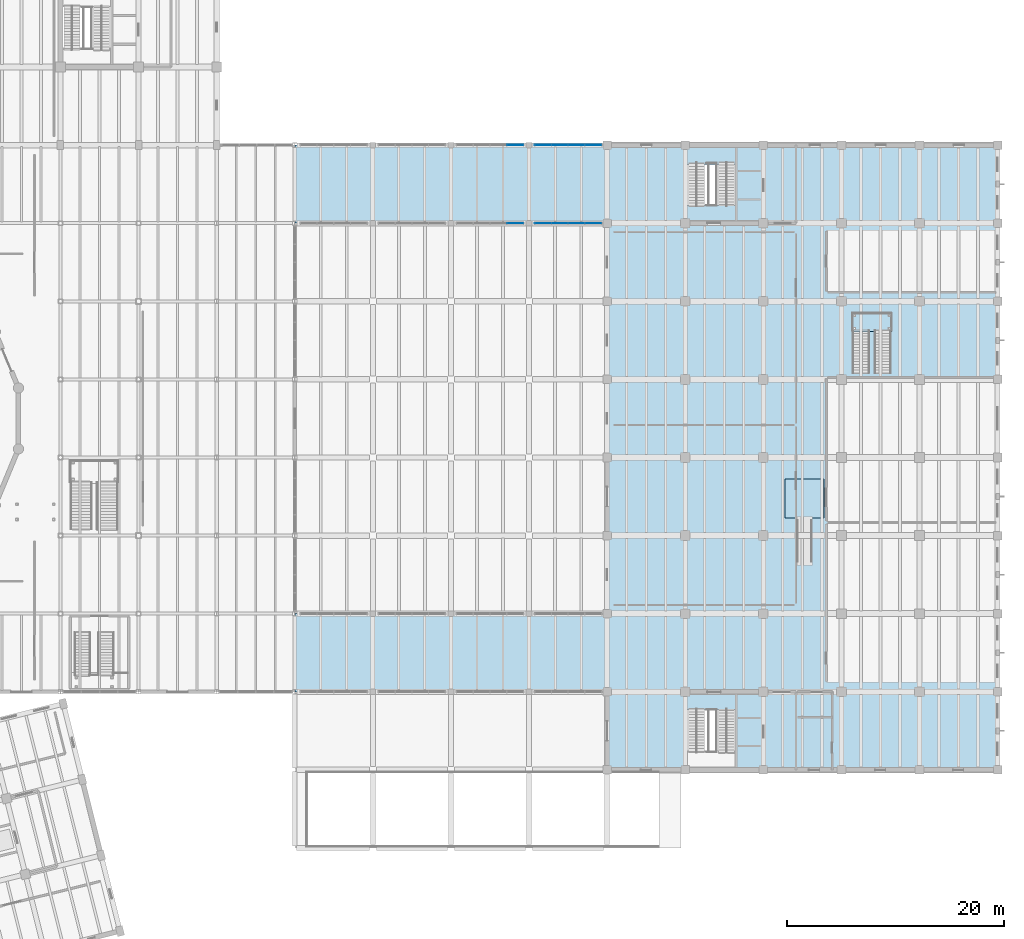
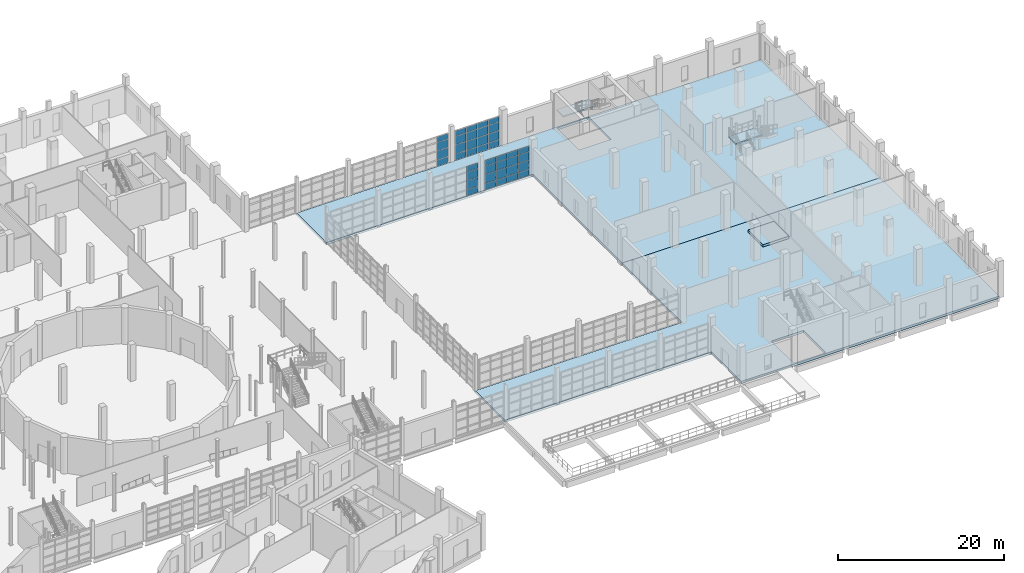
# One storey, part 59 of 79: 40 plates, 5 slabs, 6 elements without a shape of their own.
"""IFC4 building model written with IfcOpenShell, lengths in metres."""

from ifc_helpers import new_model, si_unit, direction, frame, frame_2d, origin, place, context, subcontext, project, spatial, polyline, rectangle, outline, extrude, material, layer, layer_set, type_object, element, aggregate, save


model = new_model("IFC4")

# Units and contexts
model_context = context("Model", 3, precision=1e-05, world=origin(), true_north=direction((0.0, 1.0)))
body_context = subcontext(model_context, "Body", "Model", "MODEL_VIEW")
ifc_project = project(units=[si_unit("LENGTHUNIT", "METRE"), si_unit("AREAUNIT", "SQUARE_METRE"), si_unit("VOLUMEUNIT", "CUBIC_METRE"), si_unit("PLANEANGLEUNIT", "RADIAN"), si_unit("MASSUNIT", "GRAM", prefix="KILO")], contexts=[model_context])

# Site, building, storey
site_placement = place(None, origin())
site = spatial("IfcSite", under=ifc_project, at=site_placement, CompositionType="ELEMENT")
building_placement = place(site_placement, origin())
building = spatial("IfcBuilding", under=site, at=building_placement, Name="Qiaolan Assembly House", CompositionType="ELEMENT")
storey_placement = place(building_placement, origin())
storey = spatial("IfcBuildingStorey", under=building, at=storey_placement, Name="L00", CompositionType="ELEMENT", Elevation=0.0)

# Curtain wall, plates
ifc_material_1 = material(Name="Anodised bronze aluminium", Category="aluminium")
curtain_wall_type = type_object("IfcCurtainWallType", Name="CW-CLOISTER-420", PredefinedType="NOTDEFINED", material=ifc_material_1)
curtain_wall_1_placement = place(storey_placement, origin())
curtain_wall_1 = element("IfcCurtainWall", 1, at=curtain_wall_1_placement, inside=storey, type_object=curtain_wall_type, Name="CW-05 North Cloister court arcade L00-3", PredefinedType="NOTDEFINED")
ifc_material_2 = material(Name="Low-E double insulating glass", Category="glass")
ifc_layer_1 = layer(ifc_material_2, 0.02587890625)
ifc_layer_set_1 = layer_set([ifc_layer_1], Name="Low-E double insulating glass")
plate_type = type_object("IfcPlateType", Name="CW-CLOISTER-420-PNL", PredefinedType="CURTAIN_PANEL", material=ifc_layer_set_1)
plate_1_placement = place(storey_placement, frame((127.56689453125, 79.199951171875, 0.052978515625), z_axis=(0.0, 0.0, 1.0), x_axis=(1.0, 0.0, 0.0)))
plate_1 = element("IfcPlate", 2, at=plate_1_placement, type_object=plate_type, Name="GL-06 glazing panel CW-CLN-CRT-L00-2-13", PredefinedType="CURTAIN_PANEL", context=body_context, shape_type="SweptSolid", body=[
    extrude(rectangle(XDim=1.486083984375, YDim=0.02587890625, at=frame_2d((0.7431640625, 0.0))), origin(), (0.0, 0.0, 1.0), 0.8740234375),
])
plate_2_placement = place(storey_placement, frame((127.56689453125, 79.199951171875, 0.972900390625), z_axis=(0.0, 0.0, 1.0), x_axis=(1.0, 0.0, 0.0)))
plate_2 = element("IfcPlate", 3, at=plate_2_placement, type_object=plate_type, Name="GL-06 glazing panel CW-CLN-CRT-L00-2-14", PredefinedType="CURTAIN_PANEL", context=body_context, shape_type="SweptSolid", body=[
    extrude(rectangle(XDim=1.486083984375, YDim=0.02587890625, at=frame_2d((0.7431640625, 0.0))), origin(), (0.0, 0.0, 1.0), 1.302490234375),
])
plate_3_placement = place(storey_placement, frame((127.56689453125, 79.199951171875, 2.3212890625), z_axis=(0.0, 0.0, 1.0), x_axis=(1.0, 0.0, 0.0)))
plate_3 = element("IfcPlate", 4, at=plate_3_placement, type_object=plate_type, Name="GL-06 glazing panel CW-CLN-CRT-L00-2-15", PredefinedType="CURTAIN_PANEL", context=body_context, shape_type="SweptSolid", body=[
    extrude(rectangle(XDim=1.486083984375, YDim=0.02587890625, at=frame_2d((0.7431640625, 0.0))), origin(), (0.0, 0.0, 1.0), 1.225830078125),
])
plate_4_placement = place(storey_placement, frame((127.56689453125, 79.199951171875, 3.593017578125), z_axis=(0.0, 0.0, 1.0), x_axis=(1.0, 0.0, 0.0)))
plate_4 = element("IfcPlate", 5, at=plate_4_placement, type_object=plate_type, Name="GL-06 glazing panel CW-CLN-CRT-L00-2-16", PredefinedType="CURTAIN_PANEL", context=body_context, shape_type="SweptSolid", body=[
    extrude(rectangle(XDim=1.486083984375, YDim=0.02587890625, at=frame_2d((0.7431640625, 0.0))), origin(), (0.0, 0.0, 1.0), 0.77392578125),
])
aggregate(curtain_wall_1, [plate_1, plate_2, plate_3, plate_4])

curtain_wall_2_placement = place(storey_placement, origin())
curtain_wall_2 = element("IfcCurtainWall", 6, at=curtain_wall_2_placement, inside=storey, type_object=curtain_wall_type, Name="CW-05 North Cloister outer arcade L00-3", PredefinedType="NOTDEFINED")
plate_5_placement = place(storey_placement, frame((129.052978515625, 86.39990234375, 0.052978515625), z_axis=(0.0, 0.0, 1.0), x_axis=(-1.0, 0.0, 0.0)))
plate_5 = element("IfcPlate", 7, at=plate_5_placement, type_object=plate_type, Name="GL-06 glazing panel CW-CLN-OUT-L00-2-1", PredefinedType="CURTAIN_PANEL", context=body_context, shape_type="SweptSolid", body=[
    extrude(rectangle(XDim=1.486083984375, YDim=0.02587890625, at=frame_2d((0.7431640625, 0.0))), origin(), (0.0, 0.0, 1.0), 0.8740234375),
])
plate_6_placement = place(storey_placement, frame((129.052978515625, 86.39990234375, 0.972900390625), z_axis=(0.0, 0.0, 1.0), x_axis=(-1.0, 0.0, 0.0)))
plate_6 = element("IfcPlate", 8, at=plate_6_placement, type_object=plate_type, Name="GL-06 glazing panel CW-CLN-OUT-L00-2-2", PredefinedType="CURTAIN_PANEL", context=body_context, shape_type="SweptSolid", body=[
    extrude(rectangle(XDim=1.486083984375, YDim=0.02587890625, at=frame_2d((0.7431640625, 0.0))), origin(), (0.0, 0.0, 1.0), 1.302490234375),
])
plate_7_placement = place(storey_placement, frame((129.052978515625, 86.39990234375, 2.3212890625), z_axis=(0.0, 0.0, 1.0), x_axis=(-1.0, 0.0, 0.0)))
plate_7 = element("IfcPlate", 9, at=plate_7_placement, type_object=plate_type, Name="GL-06 glazing panel CW-CLN-OUT-L00-2-3", PredefinedType="CURTAIN_PANEL", context=body_context, shape_type="SweptSolid", body=[
    extrude(rectangle(XDim=1.486083984375, YDim=0.02587890625, at=frame_2d((0.7431640625, 0.0))), origin(), (0.0, 0.0, 1.0), 1.225830078125),
])
plate_8_placement = place(storey_placement, frame((129.052978515625, 86.39990234375, 3.593017578125), z_axis=(0.0, 0.0, 1.0), x_axis=(-1.0, 0.0, 0.0)))
plate_8 = element("IfcPlate", 10, at=plate_8_placement, type_object=plate_type, Name="GL-06 glazing panel CW-CLN-OUT-L00-2-4", PredefinedType="CURTAIN_PANEL", context=body_context, shape_type="SweptSolid", body=[
    extrude(rectangle(XDim=1.486083984375, YDim=0.02587890625, at=frame_2d((0.7431640625, 0.0))), origin(), (0.0, 0.0, 1.0), 0.77392578125),
])
aggregate(curtain_wall_2, [plate_5, plate_6, plate_7, plate_8])

curtain_wall_3_placement = place(storey_placement, origin())
curtain_wall_3 = element("IfcCurtainWall", 11, at=curtain_wall_3_placement, inside=storey, type_object=curtain_wall_type, Name="CW-05 North Cloister court arcade L00-4", PredefinedType="NOTDEFINED")
plate_9_placement = place(storey_placement, frame((130.14697265625, 79.199951171875, 0.052978515625), z_axis=(0.0, 0.0, 1.0), x_axis=(1.0, 0.0, 0.0)))
plate_9 = element("IfcPlate", 12, at=plate_9_placement, type_object=plate_type, Name="GL-06 glazing panel CW-CLN-CRT-L00-3-1", PredefinedType="CURTAIN_PANEL", context=body_context, shape_type="SweptSolid", body=[
    extrude(rectangle(XDim=1.486083984375, YDim=0.02587890625, at=frame_2d((0.7431640625, 0.0))), origin(), (0.0, 0.0, 1.0), 0.8740234375),
])
plate_10_placement = place(storey_placement, frame((130.14697265625, 79.199951171875, 0.972900390625), z_axis=(0.0, 0.0, 1.0), x_axis=(1.0, 0.0, 0.0)))
plate_10 = element("IfcPlate", 13, at=plate_10_placement, type_object=plate_type, Name="GL-06 glazing panel CW-CLN-CRT-L00-3-2", PredefinedType="CURTAIN_PANEL", context=body_context, shape_type="SweptSolid", body=[
    extrude(rectangle(XDim=1.486083984375, YDim=0.02587890625, at=frame_2d((0.7431640625, 0.0))), origin(), (0.0, 0.0, 1.0), 1.302490234375),
])
plate_11_placement = place(storey_placement, frame((130.14697265625, 79.199951171875, 2.3212890625), z_axis=(0.0, 0.0, 1.0), x_axis=(1.0, 0.0, 0.0)))
plate_11 = element("IfcPlate", 14, at=plate_11_placement, type_object=plate_type, Name="GL-06 glazing panel CW-CLN-CRT-L00-3-3", PredefinedType="CURTAIN_PANEL", context=body_context, shape_type="SweptSolid", body=[
    extrude(rectangle(XDim=1.486083984375, YDim=0.02587890625, at=frame_2d((0.7431640625, 0.0))), origin(), (0.0, 0.0, 1.0), 1.225830078125),
])
plate_12_placement = place(storey_placement, frame((130.14697265625, 79.199951171875, 3.593017578125), z_axis=(0.0, 0.0, 1.0), x_axis=(1.0, 0.0, 0.0)))
plate_12 = element("IfcPlate", 15, at=plate_12_placement, type_object=plate_type, Name="GL-06 glazing panel CW-CLN-CRT-L00-3-4", PredefinedType="CURTAIN_PANEL", context=body_context, shape_type="SweptSolid", body=[
    extrude(rectangle(XDim=1.486083984375, YDim=0.02587890625, at=frame_2d((0.7431640625, 0.0))), origin(), (0.0, 0.0, 1.0), 0.77392578125),
])
plate_13_placement = place(storey_placement, frame((131.68701171875, 79.199951171875, 0.052978515625), z_axis=(0.0, 0.0, 1.0), x_axis=(1.0, 0.0, 0.0)))
plate_13 = element("IfcPlate", 16, at=plate_13_placement, type_object=plate_type, Name="GL-06 glazing panel CW-CLN-CRT-L00-3-5", PredefinedType="CURTAIN_PANEL", context=body_context, shape_type="SweptSolid", body=[
    extrude(rectangle(XDim=1.486083984375, YDim=0.02587890625, at=frame_2d((0.7431640625, 0.0))), origin(), (0.0, 0.0, 1.0), 0.8740234375),
])
plate_14_placement = place(storey_placement, frame((131.68701171875, 79.199951171875, 0.972900390625), z_axis=(0.0, 0.0, 1.0), x_axis=(1.0, 0.0, 0.0)))
plate_14 = element("IfcPlate", 17, at=plate_14_placement, type_object=plate_type, Name="GL-06 glazing panel CW-CLN-CRT-L00-3-6", PredefinedType="CURTAIN_PANEL", context=body_context, shape_type="SweptSolid", body=[
    extrude(rectangle(XDim=1.486083984375, YDim=0.02587890625, at=frame_2d((0.7431640625, 0.0))), origin(), (0.0, 0.0, 1.0), 1.302490234375),
])
plate_15_placement = place(storey_placement, frame((131.68701171875, 79.199951171875, 2.3212890625), z_axis=(0.0, 0.0, 1.0), x_axis=(1.0, 0.0, 0.0)))
plate_15 = element("IfcPlate", 18, at=plate_15_placement, type_object=plate_type, Name="GL-06 glazing panel CW-CLN-CRT-L00-3-7", PredefinedType="CURTAIN_PANEL", context=body_context, shape_type="SweptSolid", body=[
    extrude(rectangle(XDim=1.486083984375, YDim=0.02587890625, at=frame_2d((0.7431640625, 0.0))), origin(), (0.0, 0.0, 1.0), 1.225830078125),
])
plate_16_placement = place(storey_placement, frame((131.68701171875, 79.199951171875, 3.593017578125), z_axis=(0.0, 0.0, 1.0), x_axis=(1.0, 0.0, 0.0)))
plate_16 = element("IfcPlate", 19, at=plate_16_placement, type_object=plate_type, Name="GL-06 glazing panel CW-CLN-CRT-L00-3-8", PredefinedType="CURTAIN_PANEL", context=body_context, shape_type="SweptSolid", body=[
    extrude(rectangle(XDim=1.486083984375, YDim=0.02587890625, at=frame_2d((0.7431640625, 0.0))), origin(), (0.0, 0.0, 1.0), 0.77392578125),
])
plate_17_placement = place(storey_placement, frame((133.22705078125, 79.199951171875, 0.052978515625), z_axis=(0.0, 0.0, 1.0), x_axis=(1.0, 0.0, 0.0)))
plate_17 = element("IfcPlate", 20, at=plate_17_placement, type_object=plate_type, Name="GL-06 glazing panel CW-CLN-CRT-L00-3-9", PredefinedType="CURTAIN_PANEL", context=body_context, shape_type="SweptSolid", body=[
    extrude(rectangle(XDim=1.48583984375, YDim=0.02587890625, at=frame_2d((0.742919921875, 0.0))), origin(), (0.0, 0.0, 1.0), 0.8740234375),
])
plate_18_placement = place(storey_placement, frame((133.22705078125, 79.199951171875, 0.972900390625), z_axis=(0.0, 0.0, 1.0), x_axis=(1.0, 0.0, 0.0)))
plate_18 = element("IfcPlate", 21, at=plate_18_placement, type_object=plate_type, Name="GL-06 glazing panel CW-CLN-CRT-L00-3-10", PredefinedType="CURTAIN_PANEL", context=body_context, shape_type="SweptSolid", body=[
    extrude(rectangle(XDim=1.48583984375, YDim=0.02587890625, at=frame_2d((0.742919921875, 0.0))), origin(), (0.0, 0.0, 1.0), 1.302490234375),
])
plate_19_placement = place(storey_placement, frame((133.22705078125, 79.199951171875, 2.3212890625), z_axis=(0.0, 0.0, 1.0), x_axis=(1.0, 0.0, 0.0)))
plate_19 = element("IfcPlate", 22, at=plate_19_placement, type_object=plate_type, Name="GL-06 glazing panel CW-CLN-CRT-L00-3-11", PredefinedType="CURTAIN_PANEL", context=body_context, shape_type="SweptSolid", body=[
    extrude(rectangle(XDim=1.48583984375, YDim=0.02587890625, at=frame_2d((0.742919921875, 0.0))), origin(), (0.0, 0.0, 1.0), 1.225830078125),
])
plate_20_placement = place(storey_placement, frame((133.22705078125, 79.199951171875, 3.593017578125), z_axis=(0.0, 0.0, 1.0), x_axis=(1.0, 0.0, 0.0)))
plate_20 = element("IfcPlate", 23, at=plate_20_placement, type_object=plate_type, Name="GL-06 glazing panel CW-CLN-CRT-L00-3-12", PredefinedType="CURTAIN_PANEL", context=body_context, shape_type="SweptSolid", body=[
    extrude(rectangle(XDim=1.48583984375, YDim=0.02587890625, at=frame_2d((0.742919921875, 0.0))), origin(), (0.0, 0.0, 1.0), 0.77392578125),
])
plate_21_placement = place(storey_placement, frame((134.76708984375, 79.199951171875, 0.052978515625), z_axis=(0.0, 0.0, 1.0), x_axis=(1.0, 0.0, 0.0)))
plate_21 = element("IfcPlate", 24, at=plate_21_placement, type_object=plate_type, Name="GL-06 glazing panel CW-CLN-CRT-L00-3-13", PredefinedType="CURTAIN_PANEL", context=body_context, shape_type="SweptSolid", body=[
    extrude(rectangle(XDim=1.48583984375, YDim=0.02587890625, at=frame_2d((0.742919921875, 0.0))), origin(), (0.0, 0.0, 1.0), 0.8740234375),
])
plate_22_placement = place(storey_placement, frame((134.76708984375, 79.199951171875, 0.972900390625), z_axis=(0.0, 0.0, 1.0), x_axis=(1.0, 0.0, 0.0)))
plate_22 = element("IfcPlate", 25, at=plate_22_placement, type_object=plate_type, Name="GL-06 glazing panel CW-CLN-CRT-L00-3-14", PredefinedType="CURTAIN_PANEL", context=body_context, shape_type="SweptSolid", body=[
    extrude(rectangle(XDim=1.48583984375, YDim=0.02587890625, at=frame_2d((0.742919921875, 0.0))), origin(), (0.0, 0.0, 1.0), 1.302490234375),
])
plate_23_placement = place(storey_placement, frame((134.76708984375, 79.199951171875, 2.3212890625), z_axis=(0.0, 0.0, 1.0), x_axis=(1.0, 0.0, 0.0)))
plate_23 = element("IfcPlate", 26, at=plate_23_placement, type_object=plate_type, Name="GL-06 glazing panel CW-CLN-CRT-L00-3-15", PredefinedType="CURTAIN_PANEL", context=body_context, shape_type="SweptSolid", body=[
    extrude(rectangle(XDim=1.48583984375, YDim=0.02587890625, at=frame_2d((0.742919921875, 0.0))), origin(), (0.0, 0.0, 1.0), 1.225830078125),
])
plate_24_placement = place(storey_placement, frame((134.76708984375, 79.199951171875, 3.593017578125), z_axis=(0.0, 0.0, 1.0), x_axis=(1.0, 0.0, 0.0)))
plate_24 = element("IfcPlate", 27, at=plate_24_placement, type_object=plate_type, Name="GL-06 glazing panel CW-CLN-CRT-L00-3-16", PredefinedType="CURTAIN_PANEL", context=body_context, shape_type="SweptSolid", body=[
    extrude(rectangle(XDim=1.48583984375, YDim=0.02587890625, at=frame_2d((0.742919921875, 0.0))), origin(), (0.0, 0.0, 1.0), 0.77392578125),
])
aggregate(curtain_wall_3, [plate_9, plate_10, plate_11, plate_12, plate_13, plate_14, plate_15, plate_16, plate_17, plate_18, plate_19, plate_20, plate_21, plate_22, plate_23, plate_24])

curtain_wall_4_placement = place(storey_placement, origin())
curtain_wall_4 = element("IfcCurtainWall", 28, at=curtain_wall_4_placement, inside=storey, type_object=curtain_wall_type, Name="CW-05 North Cloister outer arcade L00-4", PredefinedType="NOTDEFINED")
plate_25_placement = place(storey_placement, frame((136.2529296875, 86.39990234375, 0.052978515625), z_axis=(0.0, 0.0, 1.0), x_axis=(-1.0, 0.0, 0.0)))
plate_25 = element("IfcPlate", 29, at=plate_25_placement, type_object=plate_type, Name="GL-06 glazing panel CW-CLN-OUT-L00-3-1", PredefinedType="CURTAIN_PANEL", context=body_context, shape_type="SweptSolid", body=[
    extrude(rectangle(XDim=1.48583984375, YDim=0.02587890625, at=frame_2d((0.742919921875, 0.0))), origin(), (0.0, 0.0, 1.0), 0.8740234375),
])
plate_26_placement = place(storey_placement, frame((136.2529296875, 86.39990234375, 0.972900390625), z_axis=(0.0, 0.0, 1.0), x_axis=(-1.0, 0.0, 0.0)))
plate_26 = element("IfcPlate", 30, at=plate_26_placement, type_object=plate_type, Name="GL-06 glazing panel CW-CLN-OUT-L00-3-2", PredefinedType="CURTAIN_PANEL", context=body_context, shape_type="SweptSolid", body=[
    extrude(rectangle(XDim=1.48583984375, YDim=0.02587890625, at=frame_2d((0.742919921875, 0.0))), origin(), (0.0, 0.0, 1.0), 1.302490234375),
])
plate_27_placement = place(storey_placement, frame((136.2529296875, 86.39990234375, 2.3212890625), z_axis=(0.0, 0.0, 1.0), x_axis=(-1.0, 0.0, 0.0)))
plate_27 = element("IfcPlate", 31, at=plate_27_placement, type_object=plate_type, Name="GL-06 glazing panel CW-CLN-OUT-L00-3-3", PredefinedType="CURTAIN_PANEL", context=body_context, shape_type="SweptSolid", body=[
    extrude(rectangle(XDim=1.48583984375, YDim=0.02587890625, at=frame_2d((0.742919921875, 0.0))), origin(), (0.0, 0.0, 1.0), 1.225830078125),
])
plate_28_placement = place(storey_placement, frame((136.2529296875, 86.39990234375, 3.593017578125), z_axis=(0.0, 0.0, 1.0), x_axis=(-1.0, 0.0, 0.0)))
plate_28 = element("IfcPlate", 32, at=plate_28_placement, type_object=plate_type, Name="GL-06 glazing panel CW-CLN-OUT-L00-3-4", PredefinedType="CURTAIN_PANEL", context=body_context, shape_type="SweptSolid", body=[
    extrude(rectangle(XDim=1.48583984375, YDim=0.02587890625, at=frame_2d((0.742919921875, 0.0))), origin(), (0.0, 0.0, 1.0), 0.77392578125),
])
plate_29_placement = place(storey_placement, frame((134.712890625, 86.39990234375, 0.052978515625), z_axis=(0.0, 0.0, 1.0), x_axis=(-1.0, 0.0, 0.0)))
plate_29 = element("IfcPlate", 33, at=plate_29_placement, type_object=plate_type, Name="GL-06 glazing panel CW-CLN-OUT-L00-3-5", PredefinedType="CURTAIN_PANEL", context=body_context, shape_type="SweptSolid", body=[
    extrude(rectangle(XDim=1.48583984375, YDim=0.02587890625, at=frame_2d((0.742919921875, 0.0))), origin(), (0.0, 0.0, 1.0), 0.8740234375),
])
plate_30_placement = place(storey_placement, frame((134.712890625, 86.39990234375, 0.972900390625), z_axis=(0.0, 0.0, 1.0), x_axis=(-1.0, 0.0, 0.0)))
plate_30 = element("IfcPlate", 34, at=plate_30_placement, type_object=plate_type, Name="GL-06 glazing panel CW-CLN-OUT-L00-3-6", PredefinedType="CURTAIN_PANEL", context=body_context, shape_type="SweptSolid", body=[
    extrude(rectangle(XDim=1.48583984375, YDim=0.02587890625, at=frame_2d((0.742919921875, 0.0))), origin(), (0.0, 0.0, 1.0), 1.302490234375),
])
plate_31_placement = place(storey_placement, frame((134.712890625, 86.39990234375, 2.3212890625), z_axis=(0.0, 0.0, 1.0), x_axis=(-1.0, 0.0, 0.0)))
plate_31 = element("IfcPlate", 35, at=plate_31_placement, type_object=plate_type, Name="GL-06 glazing panel CW-CLN-OUT-L00-3-7", PredefinedType="CURTAIN_PANEL", context=body_context, shape_type="SweptSolid", body=[
    extrude(rectangle(XDim=1.48583984375, YDim=0.02587890625, at=frame_2d((0.742919921875, 0.0))), origin(), (0.0, 0.0, 1.0), 1.225830078125),
])
plate_32_placement = place(storey_placement, frame((134.712890625, 86.39990234375, 3.593017578125), z_axis=(0.0, 0.0, 1.0), x_axis=(-1.0, 0.0, 0.0)))
plate_32 = element("IfcPlate", 36, at=plate_32_placement, type_object=plate_type, Name="GL-06 glazing panel CW-CLN-OUT-L00-3-8", PredefinedType="CURTAIN_PANEL", context=body_context, shape_type="SweptSolid", body=[
    extrude(rectangle(XDim=1.48583984375, YDim=0.02587890625, at=frame_2d((0.742919921875, 0.0))), origin(), (0.0, 0.0, 1.0), 0.77392578125),
])
plate_33_placement = place(storey_placement, frame((133.173095703125, 86.39990234375, 0.052978515625), z_axis=(0.0, 0.0, 1.0), x_axis=(-1.0, 0.0, 0.0)))
plate_33 = element("IfcPlate", 37, at=plate_33_placement, type_object=plate_type, Name="GL-06 glazing panel CW-CLN-OUT-L00-3-9", PredefinedType="CURTAIN_PANEL", context=body_context, shape_type="SweptSolid", body=[
    extrude(rectangle(XDim=1.486083984375, YDim=0.02587890625, at=frame_2d((0.7431640625, 0.0))), origin(), (0.0, 0.0, 1.0), 0.8740234375),
])
plate_34_placement = place(storey_placement, frame((133.173095703125, 86.39990234375, 0.972900390625), z_axis=(0.0, 0.0, 1.0), x_axis=(-1.0, 0.0, 0.0)))
plate_34 = element("IfcPlate", 38, at=plate_34_placement, type_object=plate_type, Name="GL-06 glazing panel CW-CLN-OUT-L00-3-10", PredefinedType="CURTAIN_PANEL", context=body_context, shape_type="SweptSolid", body=[
    extrude(rectangle(XDim=1.486083984375, YDim=0.02587890625, at=frame_2d((0.7431640625, 0.0))), origin(), (0.0, 0.0, 1.0), 1.302490234375),
])
plate_35_placement = place(storey_placement, frame((133.173095703125, 86.39990234375, 2.3212890625), z_axis=(0.0, 0.0, 1.0), x_axis=(-1.0, 0.0, 0.0)))
plate_35 = element("IfcPlate", 39, at=plate_35_placement, type_object=plate_type, Name="GL-06 glazing panel CW-CLN-OUT-L00-3-11", PredefinedType="CURTAIN_PANEL", context=body_context, shape_type="SweptSolid", body=[
    extrude(rectangle(XDim=1.486083984375, YDim=0.02587890625, at=frame_2d((0.7431640625, 0.0))), origin(), (0.0, 0.0, 1.0), 1.225830078125),
])
plate_36_placement = place(storey_placement, frame((133.173095703125, 86.39990234375, 3.593017578125), z_axis=(0.0, 0.0, 1.0), x_axis=(-1.0, 0.0, 0.0)))
plate_36 = element("IfcPlate", 40, at=plate_36_placement, type_object=plate_type, Name="GL-06 glazing panel CW-CLN-OUT-L00-3-12", PredefinedType="CURTAIN_PANEL", context=body_context, shape_type="SweptSolid", body=[
    extrude(rectangle(XDim=1.486083984375, YDim=0.02587890625, at=frame_2d((0.7431640625, 0.0))), origin(), (0.0, 0.0, 1.0), 0.77392578125),
])
plate_37_placement = place(storey_placement, frame((131.633056640625, 86.39990234375, 0.052978515625), z_axis=(0.0, 0.0, 1.0), x_axis=(-1.0, 0.0, 0.0)))
plate_37 = element("IfcPlate", 41, at=plate_37_placement, type_object=plate_type, Name="GL-06 glazing panel CW-CLN-OUT-L00-3-13", PredefinedType="CURTAIN_PANEL", context=body_context, shape_type="SweptSolid", body=[
    extrude(rectangle(XDim=1.486083984375, YDim=0.02587890625, at=frame_2d((0.7431640625, 0.0))), origin(), (0.0, 0.0, 1.0), 0.8740234375),
])
plate_38_placement = place(storey_placement, frame((131.633056640625, 86.39990234375, 0.972900390625), z_axis=(0.0, 0.0, 1.0), x_axis=(-1.0, 0.0, 0.0)))
plate_38 = element("IfcPlate", 42, at=plate_38_placement, type_object=plate_type, Name="GL-06 glazing panel CW-CLN-OUT-L00-3-14", PredefinedType="CURTAIN_PANEL", context=body_context, shape_type="SweptSolid", body=[
    extrude(rectangle(XDim=1.486083984375, YDim=0.02587890625, at=frame_2d((0.7431640625, 0.0))), origin(), (0.0, 0.0, 1.0), 1.302490234375),
])
plate_39_placement = place(storey_placement, frame((131.633056640625, 86.39990234375, 2.3212890625), z_axis=(0.0, 0.0, 1.0), x_axis=(-1.0, 0.0, 0.0)))
plate_39 = element("IfcPlate", 43, at=plate_39_placement, type_object=plate_type, Name="GL-06 glazing panel CW-CLN-OUT-L00-3-15", PredefinedType="CURTAIN_PANEL", context=body_context, shape_type="SweptSolid", body=[
    extrude(rectangle(XDim=1.486083984375, YDim=0.02587890625, at=frame_2d((0.7431640625, 0.0))), origin(), (0.0, 0.0, 1.0), 1.225830078125),
])
plate_40_placement = place(storey_placement, frame((131.633056640625, 86.39990234375, 3.593017578125), z_axis=(0.0, 0.0, 1.0), x_axis=(-1.0, 0.0, 0.0)))
plate_40 = element("IfcPlate", 44, at=plate_40_placement, type_object=plate_type, Name="GL-06 glazing panel CW-CLN-OUT-L00-3-16", PredefinedType="CURTAIN_PANEL", context=body_context, shape_type="SweptSolid", body=[
    extrude(rectangle(XDim=1.486083984375, YDim=0.02587890625, at=frame_2d((0.7431640625, 0.0))), origin(), (0.0, 0.0, 1.0), 0.77392578125),
])
aggregate(curtain_wall_4, [plate_25, plate_26, plate_27, plate_28, plate_29, plate_30, plate_31, plate_32, plate_33, plate_34, plate_35, plate_36, plate_37, plate_38, plate_39, plate_40])

# Slabs
ifc_material_3 = material(Name="Concrete C45/55", Category="concrete")
ifc_layer_2 = layer(ifc_material_3, 0.340087890625)
ifc_layer_set_2 = layer_set([ifc_layer_2], Name="Concrete C45/55")
slab_type_1 = type_object("IfcSlabType", Name="SLB-ARCH-340", PredefinedType="FLOOR", material=ifc_layer_set_2)
slab_1_placement = place(storey_placement, frame((0.0, 0.0, -0.340087890625)))
element("IfcSlab", 45, at=slab_1_placement, inside=storey, type_object=slab_type_1, Name="FS-04 East Members' Library South Wing Slab L00", PredefinedType="FLOOR", context=body_context, shape_type="SweptSolid", body=[
    extrude(outline(polyline([(108.0, 36.0), (136.800048828125, 36.0), (136.800048828125, 28.800048828125), (172.800048828125, 28.800048828125), (172.800048828125, 57.60009765625), (136.800048828125, 57.60009765625), (136.800048828125, 43.199951171875), (108.0, 43.199951171875), (108.0, 36.0)]), holes=[polyline([(144.199951171875, 29.0), (144.199951171875, 34.35009765625), (148.679931640625, 34.35009765625), (148.679931640625, 29.0), (144.199951171875, 29.0)])]), origin(), (0.0, 0.0, 1.0), 0.340087890625),
])
slab_2_placement = place(storey_placement, frame((0.0, 0.0, -0.340087890625)))
element("IfcSlab", 46, at=slab_2_placement, inside=storey, type_object=slab_type_1, Name="FS-04 East Members' Library North Wing Slab L00", PredefinedType="FLOOR", context=body_context, shape_type="SweptSolid", body=[
    extrude(outline(polyline([(136.800048828125, 57.60009765625), (172.800048828125, 57.60009765625), (172.800048828125, 86.39990234375), (108.0, 86.39990234375), (108.0, 79.199951171875), (136.800048828125, 79.199951171875), (136.800048828125, 57.60009765625)]), holes=[polyline([(144.199951171875, 80.85009765625), (144.199951171875, 86.199951171875), (148.679931640625, 86.199951171875), (148.679931640625, 80.85009765625), (144.199951171875, 80.85009765625)])]), origin(), (0.0, 0.0, 1.0), 0.340087890625),
])

# Stair, slab
ifc_material_4 = material(Name="Concrete C40/50", Category="concrete")
stair_type_1 = type_object("IfcStairType", Name="STR-PODIUM-540", PredefinedType="THREE_QUARTER_TURN_STAIR", material=ifc_material_4)
stair_1_placement = place(storey_placement, origin())
stair_1 = element("IfcStair", 47, at=stair_1_placement, inside=storey, type_object=stair_type_1, Name="ST-01 enclosed egress stair CORE-F L00", PredefinedType="THREE_QUARTER_TURN_STAIR")
ifc_layer_3 = layer(ifc_material_4, 0.199951171875)
ifc_layer_set_3 = layer_set([ifc_layer_3], Name="Concrete C40/50")
slab_type_2 = type_object("IfcSlabType", Name="SLB-LANDING-200", PredefinedType="LANDING", material=ifc_layer_set_3)
slab_3_placement = place(storey_placement, frame((0.0, 0.0, 2.5)))
slab_3 = element("IfcSlab", 48, at=slab_3_placement, type_object=slab_type_2, Name="Stair landing LND-CORE-F-L00-HL", PredefinedType="LANDING", context=body_context, shape_type="SweptSolid", body=[
    extrude(outline(polyline([(144.179931640625, 84.610107421875), (144.179931640625, 86.219970703125), (148.719970703125, 86.219970703125), (148.719970703125, 84.610107421875), (144.179931640625, 84.610107421875)])), origin(), (0.0, 0.0, 1.0), 0.199951171875),
])
aggregate(stair_1, [slab_3])

stair_type_2 = type_object("IfcStairType", Name="STR-LIB-READ-540", PredefinedType="HALF_TURN_STAIR", material=ifc_material_4)
stair_2_placement = place(storey_placement, origin())
stair_2 = element("IfcStair", 49, at=stair_2_placement, inside=storey, type_object=stair_type_2, Name="ST-11 Library Reading Well Stair ST-LB1", PredefinedType="HALF_TURN_STAIR")
slab_4_placement = place(storey_placement, frame((0.0, 0.0, 2.5)))
slab_4 = element("IfcSlab", 50, at=slab_4_placement, type_object=slab_type_2, Name="Stair landing LND-ST-LB1-1", PredefinedType="LANDING", context=body_context, shape_type="SweptSolid", body=[
    extrude(outline(polyline([(159.35009765625, 69.199951171875), (159.35009765625, 70.949951171875), (163.050048828125, 70.949951171875), (163.050048828125, 69.199951171875), (159.35009765625, 69.199951171875)])), origin(), (0.0, 0.0, 1.0), 0.199951171875),
])
aggregate(stair_2, [slab_4])

# Slab
ifc_layer_4 = layer(ifc_material_4, 0.360107421875)
ifc_layer_set_4 = layer_set([ifc_layer_4], Name="Concrete C40/50")
slab_type_3 = type_object("IfcSlabType", Name="SLB-ROSTRUM-360", PredefinedType="FLOOR", material=ifc_layer_set_4)
slab_5_placement = place(storey_placement, origin())
element("IfcSlab", 51, at=slab_5_placement, inside=storey, type_object=slab_type_3, Name="FS-11 Library Civic Reading Platform Dais Slab", PredefinedType="FLOOR", context=body_context, shape_type="SweptSolid", body=[
    extrude(outline(polyline([(153.199951171875, 52.0), (156.800048828125, 52.0), (156.800048828125, 55.60009765625), (153.199951171875, 55.60009765625), (153.199951171875, 52.0)])), origin(), (0.0, 0.0, 1.0), 0.360107421875),
])

save(model, "model.ifc")
